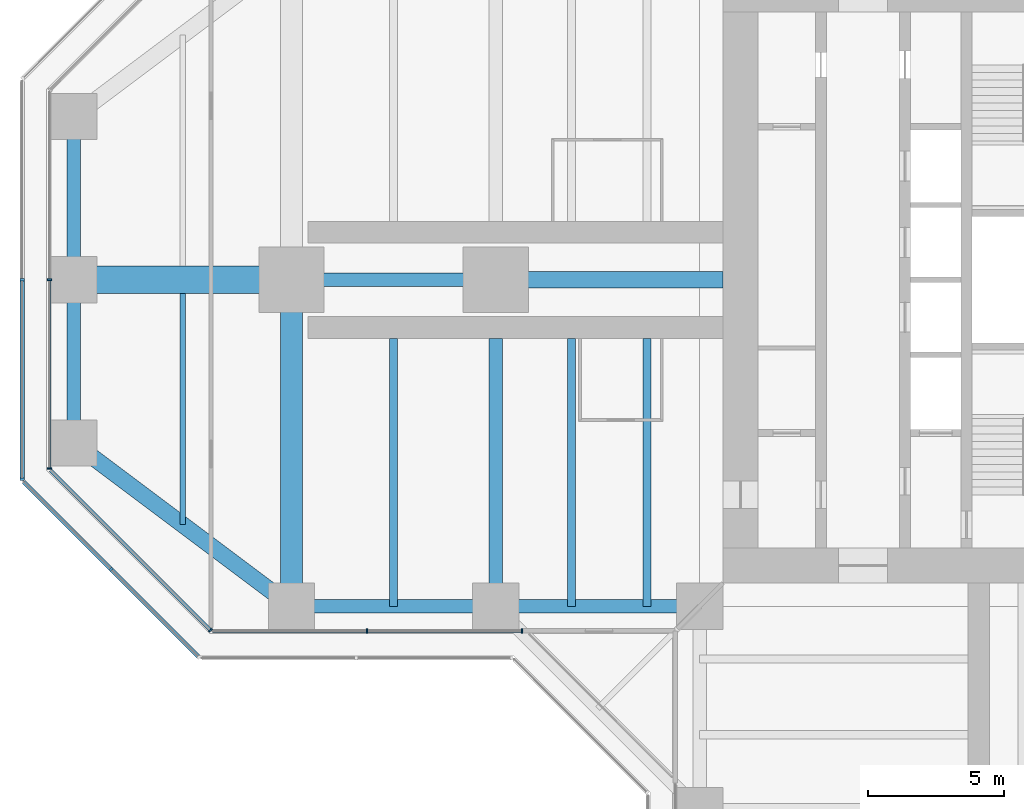
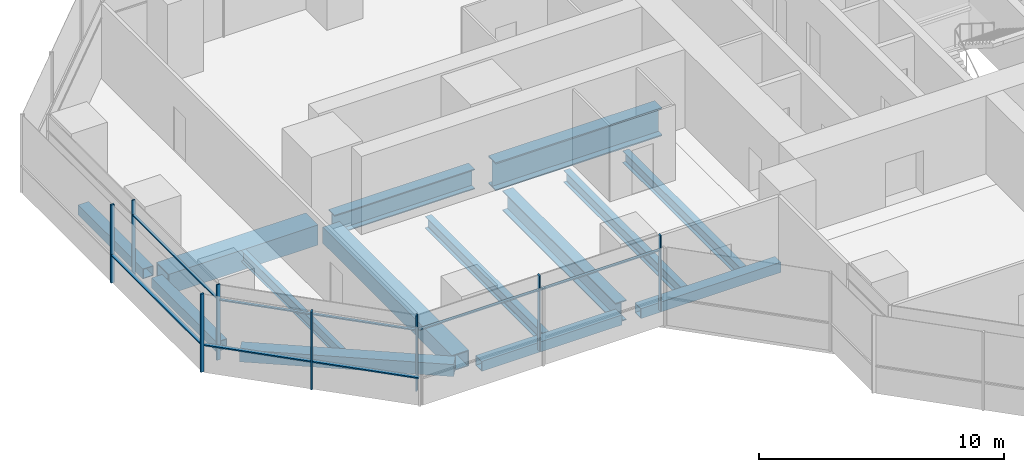
# One storey, part 3 of 19: 15 members, 14 beams, 5 elements without a shape of their own.
"""IFC4 building model written with IfcOpenShell, lengths in metres."""

from ifc_helpers import new_model, si_unit, direction, frame, origin, origin_2d, place, context, subcontext, project, spatial, rectangle, hollow_rectangle, i_section, extrude, material, material_profile, profile_set, type_object, element, aggregate, save


model = new_model("IFC4")

# Units and contexts
model_context = context("Model", 3, precision=1e-05, world=origin(), true_north=direction((0.0, 1.0)))
body_context = subcontext(model_context, "Body", "Model", "MODEL_VIEW")
ifc_project = project(units=[si_unit("LENGTHUNIT", "METRE"), si_unit("AREAUNIT", "SQUARE_METRE"), si_unit("VOLUMEUNIT", "CUBIC_METRE"), si_unit("PLANEANGLEUNIT", "RADIAN"), si_unit("MASSUNIT", "GRAM", prefix="KILO")], contexts=[model_context])

# Site, building, storey
site_placement = place(None, origin())
site = spatial("IfcSite", under=ifc_project, at=site_placement, CompositionType="ELEMENT")
building_placement = place(site_placement, origin())
building = spatial("IfcBuilding", under=site, at=building_placement, Name="Mizan Broadcast Tower", CompositionType="ELEMENT")
storey_placement = place(building_placement, frame((0.0, 0.0, 132.0)))
storey = spatial("IfcBuildingStorey", under=building, at=storey_placement, Name="L29", CompositionType="ELEMENT", Elevation=132.0)

# Beams
ifc_material_1 = material(Name="Steel S355", Category="steel")
ifc_material_profile_1 = material_profile(ifc_material_1, hollow_rectangle(XDim=0.5, YDim=0.5, WallThickness=0.030029296875, at=origin_2d()), Name="BOX 500x500x30")
ifc_profile_set_1 = profile_set([ifc_material_profile_1], Name="Steel S355")
beam_type_1 = type_object("IfcBeamType", Name="EDGE BEAM BOX 500x500x30", PredefinedType="SPANDREL", material=ifc_profile_set_1)
beam_1_placement = place(storey_placement, frame((-35.0, 5.639892578125, -0.3798828125), z_axis=(0.0, -1.0, 0.0), x_axis=(1.0, 0.0, 0.0)))
element("IfcBeam", 1, at=beam_1_placement, inside=storey, type_object=beam_type_1, Name="Edge beam BOX 500x500x30 L29 west arm", PredefinedType="SPANDREL", context=body_context, shape_type="SweptSolid", body=[
    extrude(hollow_rectangle(XDim=0.5, YDim=0.5, WallThickness=0.030029296875, at=origin_2d()), origin(), (0.0, 0.0, 1.0), 5.27978515625),
])
for number, where, z_axis, x_axis, name in (
    (2, (-12.449951171875, -12.0, -0.3798828125), (-1.0, 0.0, 0.0), (0.0, -1.0, 0.0), "Edge beam BOX 500x500x30 L29 west arm"),
    (3, (-19.949951171875, -12.0, -0.3798828125), (-1.0, 0.0, 0.0), (0.0, -1.0, 0.0), "Edge beam BOX 500x500x30 L29 west arm"),
):
    element("IfcBeam", number, at=place(storey_placement, frame(where, z_axis=z_axis, x_axis=x_axis)), inside=storey, type_object=beam_type_1, Name=name, PredefinedType="SPANDREL", context=body_context, shape_type="SweptSolid", body=[
        extrude(hollow_rectangle(XDim=0.5, YDim=0.5, WallThickness=0.030029296875, at=origin_2d()), origin(), (0.0, 0.0, 1.0), 6.60009765625),
    ])
beam_2_placement = place(storey_placement, frame((-35.0, -5.639892578125, -0.3798828125), z_axis=(0.0, 1.0, 0.0), x_axis=(-1.0, 0.0, 0.0)))
element("IfcBeam", 4, at=beam_2_placement, inside=storey, type_object=beam_type_1, Name="Edge beam BOX 500x500x30 L29 west arm", PredefinedType="SPANDREL", context=body_context, shape_type="SweptSolid", body=[
    extrude(hollow_rectangle(XDim=0.5, YDim=0.5, WallThickness=0.030029296875, at=origin_2d()), origin(), (0.0, 0.0, 1.0), 5.27978515625),
])
ifc_material_2 = material(Name="Steel S355", Category="steel")
ifc_material_profile_2 = material_profile(ifc_material_2, hollow_rectangle(XDim=0.60009765625, YDim=0.60009765625, WallThickness=0.030029296875, at=origin_2d()), Name="BOX 600x600x30")
ifc_profile_set_2 = profile_set([ifc_material_profile_2], Name="Steel S355")
beam_type_2 = type_object("IfcBeamType", Name="EDGE BEAM BOX 600x600x30", PredefinedType="SPANDREL", material=ifc_profile_set_2)
beam_3_placement = place(storey_placement, frame((-27.47998046875, -11.639892578125, -0.429931640625), z_axis=(-0.800013316712, 0.599982243973, 0.0), x_axis=(-0.599982243973, -0.800013316712, 0.0)))
element("IfcBeam", 5, at=beam_3_placement, inside=storey, type_object=beam_type_2, Name="Edge beam BOX 600x600x30 L29 west arm", PredefinedType="SPANDREL", context=body_context, shape_type="SweptSolid", body=[
    extrude(hollow_rectangle(XDim=0.60009765625, YDim=0.60009765625, WallThickness=0.030029296875, at=origin_2d()), origin(), (0.0, 0.0, 1.0), 8.7998046875),
])
ifc_material_3 = material(Name="Steel S460", Category="steel")
ifc_material_profile_3 = material_profile(ifc_material_3, hollow_rectangle(XDim=1.0, YDim=1.0, WallThickness=0.06005859375, at=origin_2d()), Name="BOX 1000x1000x60")
ifc_profile_set_3 = profile_set([ifc_material_profile_3], Name="Steel S460")
beam_type_3 = type_object("IfcBeamType", Name="GIRDER BOX 1000x1000x60", PredefinedType="BEAM", material=ifc_profile_set_3)
beam_4_placement = place(storey_placement, frame((-27.47998046875, 0.0, -0.6298828125), z_axis=(-1.0, 0.0, 0.0), x_axis=(0.0, -1.0, 0.0)))
element("IfcBeam", 6, at=beam_4_placement, inside=storey, type_object=beam_type_3, Name="Girder BOX 1000x1000x60 L29 west arm", PredefinedType="BEAM", context=body_context, shape_type="SweptSolid", body=[
    extrude(hollow_rectangle(XDim=1.0, YDim=1.0, WallThickness=0.06005859375, at=origin_2d()), origin(), (0.0, 0.0, 1.0), 7.0400390625),
])
ifc_material_4 = material(Name="Steel S460", Category="steel")
ifc_material_profile_4 = material_profile(ifc_material_4, hollow_rectangle(XDim=0.800048828125, YDim=0.800048828125, WallThickness=0.050048828125, at=origin_2d()), Name="BOX 800x800x50")
ifc_profile_set_4 = profile_set([ifc_material_profile_4], Name="Steel S460")
beam_type_4 = type_object("IfcBeamType", Name="GIRDER BOX 800x800x50", PredefinedType="BEAM", material=ifc_profile_set_4)
beam_5_placement = place(storey_placement, frame((-27.0, -11.280029296875, -0.530029296875), z_axis=(0.0, 1.0, 0.0), x_axis=(-1.0, 0.0, 0.0)))
element("IfcBeam", 7, at=beam_5_placement, inside=storey, type_object=beam_type_4, Name="Girder BOX 800x800x50 L29 west arm", PredefinedType="BEAM", context=body_context, shape_type="SweptSolid", body=[
    extrude(hollow_rectangle(XDim=0.800048828125, YDim=0.800048828125, WallThickness=0.050048828125, at=origin_2d()), origin(), (0.0, 0.0, 1.0), 10.56005859375),
])
ifc_material_5 = material(Name="Steel S460", Category="steel")
ifc_material_profile_5 = material_profile(ifc_material_5, i_section(OverallWidth=0.5, OverallDepth=1.0, WebThickness=0.02490234375, FlangeThickness=0.050048828125, at=origin_2d()), Name="WPG 1000x500")
ifc_profile_set_5 = profile_set([ifc_material_profile_5], Name="Steel S460")
beam_type_5 = type_object("IfcBeamType", Name="GIRDER WPG 1000x500", PredefinedType="BEAM", material=ifc_profile_set_5)
beam_6_placement = place(storey_placement, frame((-19.949951171875, 0.0, -0.6298828125), z_axis=(-1.0, 0.0, 0.0), x_axis=(0.0, -1.0, 0.0)))
element("IfcBeam", 8, at=beam_6_placement, inside=storey, type_object=beam_type_5, Name="Girder WPG 1000x500 L29 west arm", PredefinedType="BEAM", context=body_context, shape_type="SweptSolid", body=[
    extrude(i_section(OverallWidth=0.5, OverallDepth=1.0, WebThickness=0.02490234375, FlangeThickness=0.050048828125, at=origin_2d()), origin(), (0.0, 0.0, 1.0), 6.60009765625),
])
beam_7_placement = place(storey_placement, frame((-19.5, -11.408935546875, -0.6298828125), z_axis=(0.0, 1.0, 0.0), x_axis=(-1.0, 0.0, 0.0)))
element("IfcBeam", 9, at=beam_7_placement, inside=storey, type_object=beam_type_5, Name="Girder WPG 1000x500 L29 west arm", PredefinedType="BEAM", context=body_context, shape_type="SweptSolid", body=[
    extrude(i_section(OverallWidth=0.5, OverallDepth=1.0, WebThickness=0.02490234375, FlangeThickness=0.050048828125, at=origin_2d()), origin(), (0.0, 0.0, 1.0), 9.259033203125),
])
ifc_material_6 = material(Name="Steel S460", Category="steel")
ifc_material_profile_6 = material_profile(ifc_material_6, i_section(OverallWidth=0.60009765625, OverallDepth=1.39990234375, WebThickness=0.02490234375, FlangeThickness=0.06005859375, at=origin_2d()), Name="WPG 1400x600")
ifc_profile_set_6 = profile_set([ifc_material_profile_6], Name="Steel S460")
beam_type_6 = type_object("IfcBeamType", Name="GIRDER WPG 1400x600", PredefinedType="BEAM", material=ifc_profile_set_6)
beam_8_placement = place(storey_placement, frame((-11.14990234375, 0.0, -0.830078125), z_axis=(-1.0, 0.0, 0.0), x_axis=(0.0, -1.0, 0.0)))
element("IfcBeam", 10, at=beam_8_placement, inside=storey, type_object=beam_type_6, Name="Girder WPG 1400x600 L29 west arm", PredefinedType="BEAM", context=body_context, shape_type="SweptSolid", body=[
    extrude(i_section(OverallWidth=0.60009765625, OverallDepth=1.39990234375, WebThickness=0.02490234375, FlangeThickness=0.06005859375, at=origin_2d()), origin(), (0.0, 0.0, 1.0), 7.84912109375),
])

# Curtain wall, members
ifc_material_7 = material(Name="Aluminium framed glazing", Category="aluminium")
curtain_wall_type_1 = type_object("IfcCurtainWallType", Name="INNER SKIN MID ZONE", PredefinedType="USERDEFINED", material=ifc_material_7)
curtain_wall_1_placement = place(storey_placement, origin())
curtain_wall_1 = element("IfcCurtainWall", 11, at=curtain_wall_1_placement, inside=storey, type_object=curtain_wall_type_1, Name="Inner skin mid zone L29 W end", ObjectType="INNER SKIN MID ZONE", PredefinedType="USERDEFINED")
ifc_material_8 = material(Name="Aluminium, pale anodised", Category="aluminium")
ifc_material_profile_7 = material_profile(ifc_material_8, rectangle(XDim=0.159912109375, YDim=0.06005859375, at=origin_2d()), Name="MULLION 160x60")
ifc_profile_set_7 = profile_set([ifc_material_profile_7], Name="Aluminium, pale anodised")
member_type_1 = type_object("IfcMemberType", Name="INNER SKIN MULLION 60x160", PredefinedType="MULLION", material=ifc_profile_set_7)
member_1_placement = place(storey_placement, frame((-35.89990234375, 0.0, 0.0), z_axis=(0.0, 0.0, 1.0), x_axis=(1.0, 0.0, 0.0)))
member_1 = element("IfcMember", 12, at=member_1_placement, type_object=member_type_1, Name="Inner skin mid zone L29 W end mullion 2", PredefinedType="MULLION", context=body_context, shape_type="SweptSolid", body=[
    extrude(rectangle(XDim=0.159912109375, YDim=0.06005859375, at=origin_2d()), origin(), (0.0, 0.0, 1.0), 3.77001953125),
])
member_2_placement = place(storey_placement, frame((-35.89990234375, -6.928466796875, 0.0), z_axis=(0.0, 0.0, 1.0), x_axis=(1.0, 0.0, 0.0)))
member_2 = element("IfcMember", 13, at=member_2_placement, type_object=member_type_1, Name="Inner skin mid zone L29 W end mullion 3", PredefinedType="MULLION", context=body_context, shape_type="SweptSolid", body=[
    extrude(rectangle(XDim=0.159912109375, YDim=0.06005859375, at=origin_2d()), origin(), (0.0, 0.0, 1.0), 3.77001953125),
])

# Curtain wall, member
curtain_wall_2_placement = place(storey_placement, origin())
curtain_wall_2 = element("IfcCurtainWall", 14, at=curtain_wall_2_placement, inside=storey, type_object=curtain_wall_type_1, Name="Inner skin mid zone L29 W chamfer", ObjectType="INNER SKIN MID ZONE", PredefinedType="USERDEFINED")
member_3_placement = place(storey_placement, frame((-29.979736328125, -12.87890625, 0.0), z_axis=(0.0, 0.0, 1.0), x_axis=(0.707106781187, 0.707106781187, 0.0)))
member_3 = element("IfcMember", 15, at=member_3_placement, type_object=member_type_1, Name="Inner skin mid zone L29 W chamfer mullion 2", PredefinedType="MULLION", context=body_context, shape_type="SweptSolid", body=[
    extrude(rectangle(XDim=0.159912109375, YDim=0.06005859375, at=origin_2d()), origin(), (0.0, 0.0, 1.0), 3.77001953125),
])

# Curtain wall, members
curtain_wall_3_placement = place(storey_placement, origin())
curtain_wall_3 = element("IfcCurtainWall", 16, at=curtain_wall_3_placement, inside=storey, type_object=curtain_wall_type_1, Name="Inner skin mid zone L29 W side", ObjectType="INNER SKIN MID ZONE", PredefinedType="USERDEFINED")
member_4_placement = place(storey_placement, frame((-24.229248046875, -12.89990234375, 0.0), z_axis=(0.0, 0.0, 1.0), x_axis=(0.0, 1.0, 0.0)))
member_4 = element("IfcMember", 17, at=member_4_placement, type_object=member_type_1, Name="Inner skin mid zone L29 W side mullion 2", PredefinedType="MULLION", context=body_context, shape_type="SweptSolid", body=[
    extrude(rectangle(XDim=0.159912109375, YDim=0.06005859375, at=origin_2d()), origin(), (0.0, 0.0, 1.0), 3.77001953125),
])
member_5_placement = place(storey_placement, frame((-18.530029296875, -12.89990234375, 0.0), z_axis=(0.0, 0.0, 1.0), x_axis=(0.0, 1.0, 0.0)))
member_5 = element("IfcMember", 18, at=member_5_placement, type_object=member_type_1, Name="Inner skin mid zone L29 W side mullion 3", PredefinedType="MULLION", context=body_context, shape_type="SweptSolid", body=[
    extrude(rectangle(XDim=0.159912109375, YDim=0.06005859375, at=origin_2d()), origin(), (0.0, 0.0, 1.0), 3.77001953125),
])

# Member
ifc_material_9 = material(Name="Aluminium, pale anodised", Category="aluminium")
ifc_material_profile_8 = material_profile(ifc_material_9, rectangle(XDim=0.1201171875, YDim=0.06005859375, at=origin_2d()), Name="TRANSOM 120x60")
ifc_profile_set_8 = profile_set([ifc_material_profile_8], Name="Aluminium, pale anodised")
member_type_2 = type_object("IfcMemberType", Name="INNER SKIN TRANSOM 60x120", PredefinedType="USERDEFINED", material=ifc_profile_set_8)
member_6_placement = place(storey_placement, frame((-35.89990234375, -0.030029296875, 3.030029296875), z_axis=(0.0, -1.0, 0.0), x_axis=(1.0, 0.0, 0.0)))
member_6 = element("IfcMember", 19, at=member_6_placement, type_object=member_type_2, Name="Inner skin mid zone L29 W end transom 2.1", ObjectType="TRANSOM", PredefinedType="USERDEFINED", context=body_context, shape_type="SweptSolid", body=[
    extrude(rectangle(XDim=0.1201171875, YDim=0.06005859375, at=origin_2d()), origin(), (0.0, 0.0, 1.0), 6.86865234375),
])

aggregate(curtain_wall_1, [member_1, member_2, member_6])

member_7_placement = place(storey_placement, frame((-35.857666015625, -7.0009765625, 3.030029296875), z_axis=(0.707106781187, -0.707106781187, 0.0), x_axis=(0.707106781187, 0.707106781187, 0.0)))
member_7 = element("IfcMember", 20, at=member_7_placement, type_object=member_type_2, Name="Inner skin mid zone L29 W chamfer transom 1.1", ObjectType="TRANSOM", PredefinedType="USERDEFINED", context=body_context, shape_type="SweptSolid", body=[
    extrude(rectangle(XDim=0.1201171875, YDim=0.06005859375, at=origin_2d()), origin(), (0.0, 0.0, 1.0), 8.28271484375),
])

aggregate(curtain_wall_2, [member_3, member_7])

member_8_placement = place(storey_placement, frame((-29.898681640625, -12.89990234375, 3.030029296875), z_axis=(1.0, 0.0, 0.0), x_axis=(0.0, 1.0, 0.0)))
member_8 = element("IfcMember", 21, at=member_8_placement, type_object=member_type_2, Name="Inner skin mid zone L29 W side transom 1.1", ObjectType="TRANSOM", PredefinedType="USERDEFINED", context=body_context, shape_type="SweptSolid", body=[
    extrude(rectangle(XDim=0.1201171875, YDim=0.06005859375, at=origin_2d()), origin(), (0.0, 0.0, 1.0), 5.639404296875),
])

member_9_placement = place(storey_placement, frame((-24.19921875, -12.89990234375, 3.030029296875), z_axis=(1.0, 0.0, 0.0), x_axis=(0.0, 1.0, 0.0)))
member_9 = element("IfcMember", 22, at=member_9_placement, type_object=member_type_2, Name="Inner skin mid zone L29 W side transom 2.1", ObjectType="TRANSOM", PredefinedType="USERDEFINED", context=body_context, shape_type="SweptSolid", body=[
    extrude(rectangle(XDim=0.1201171875, YDim=0.06005859375, at=origin_2d()), origin(), (0.0, 0.0, 1.0), 5.63916015625),
])

aggregate(curtain_wall_3, [member_4, member_5, member_8, member_9])

# Curtain wall, members
ifc_material_10 = material(Name="Aluminium framed glazing", Category="aluminium")
curtain_wall_type_2 = type_object("IfcCurtainWallType", Name="OUTER SKIN", PredefinedType="USERDEFINED", material=ifc_material_10)
curtain_wall_4_placement = place(storey_placement, origin())
curtain_wall_4 = element("IfcCurtainWall", 23, at=curtain_wall_4_placement, inside=storey, type_object=curtain_wall_type_2, Name="Outer skin L29 W end", ObjectType="OUTER SKIN", PredefinedType="USERDEFINED")
ifc_material_11 = material(Name="Aluminium, pale anodised", Category="aluminium")
ifc_material_profile_9 = material_profile(ifc_material_11, rectangle(XDim=0.159912109375, YDim=0.080078125, at=origin_2d()), Name="MULLION 160x80")
ifc_profile_set_9 = profile_set([ifc_material_profile_9], Name="Aluminium, pale anodised")
member_type_3 = type_object("IfcMemberType", Name="OUTER SKIN MULLION 80x160", PredefinedType="MULLION", material=ifc_profile_set_9)
member_10_placement = place(storey_placement, frame((-36.89990234375, 0.0, 0.0), z_axis=(0.0, 0.0, 1.0), x_axis=(1.0, 0.0, 0.0)))
member_10 = element("IfcMember", 24, at=member_10_placement, type_object=member_type_3, Name="Outer skin L29 W end mullion 2", PredefinedType="MULLION", context=body_context, shape_type="SweptSolid", body=[
    extrude(rectangle(XDim=0.159912109375, YDim=0.080078125, at=origin_2d()), origin(), (0.0, 0.0, 1.0), 3.89990234375),
])
member_11_placement = place(storey_placement, frame((-36.89990234375, -7.332763671875, 0.0), z_axis=(0.0, 0.0, 1.0), x_axis=(1.0, 0.0, 0.0)))
member_11 = element("IfcMember", 25, at=member_11_placement, type_object=member_type_3, Name="Outer skin L29 W end mullion 3", PredefinedType="MULLION", context=body_context, shape_type="SweptSolid", body=[
    extrude(rectangle(XDim=0.159912109375, YDim=0.080078125, at=origin_2d()), origin(), (0.0, 0.0, 1.0), 3.89990234375),
])

# Curtain wall, member
curtain_wall_5_placement = place(storey_placement, origin())
curtain_wall_5 = element("IfcCurtainWall", 26, at=curtain_wall_5_placement, inside=storey, type_object=curtain_wall_type_2, Name="Outer skin L29 W chamfer", ObjectType="OUTER SKIN", PredefinedType="USERDEFINED")
member_12_placement = place(storey_placement, frame((-33.636474609375, -10.636474609375, 0.0), z_axis=(0.0, 0.0, 1.0), x_axis=(0.707106781187, 0.707106781187, 0.0)))
member_12 = element("IfcMember", 27, at=member_12_placement, type_object=member_type_3, Name="Outer skin L29 W chamfer mullion 2", PredefinedType="MULLION", context=body_context, shape_type="SweptSolid", body=[
    extrude(rectangle(XDim=0.159912109375, YDim=0.080078125, at=origin_2d()), origin(), (0.0, 0.0, 1.0), 3.89990234375),
])

# Member
ifc_material_12 = material(Name="Aluminium, pale anodised", Category="aluminium")
ifc_material_profile_10 = material_profile(ifc_material_12, rectangle(XDim=0.159912109375, YDim=0.06005859375, at=origin_2d()), Name="TRANSOM 160x60")
ifc_profile_set_10 = profile_set([ifc_material_profile_10], Name="Aluminium, pale anodised")
member_type_4 = type_object("IfcMemberType", Name="OUTER SKIN TRANSOM 60x160", PredefinedType="USERDEFINED", material=ifc_profile_set_10)
member_13_placement = place(storey_placement, frame((-36.89990234375, -0.0400390625, 1.39990234375), z_axis=(0.0, -1.0, 0.0), x_axis=(1.0, 0.0, 0.0)))
member_13 = element("IfcMember", 28, at=member_13_placement, type_object=member_type_4, Name="Outer skin L29 W end transom 2.1", ObjectType="TRANSOM", PredefinedType="USERDEFINED", context=body_context, shape_type="SweptSolid", body=[
    extrude(rectangle(XDim=0.159912109375, YDim=0.06005859375, at=origin_2d()), origin(), (0.0, 0.0, 1.0), 7.252685546875),
])

aggregate(curtain_wall_4, [member_10, member_11, member_13])

member_14_placement = place(storey_placement, frame((-36.843505859375, -7.429443359375, 1.39990234375), z_axis=(0.707106781187, -0.707106781187, 0.0), x_axis=(0.707106781187, 0.707106781187, 0.0)))
member_14 = element("IfcMember", 29, at=member_14_placement, type_object=member_type_4, Name="Outer skin L29 W chamfer transom 1.1", ObjectType="TRANSOM", PredefinedType="USERDEFINED", context=body_context, shape_type="SweptSolid", body=[
    extrude(rectangle(XDim=0.159912109375, YDim=0.06005859375, at=origin_2d()), origin(), (0.0, 0.0, 1.0), 4.495361328125),
])

member_15_placement = place(storey_placement, frame((-33.608154296875, -10.664794921875, 1.39990234375), z_axis=(0.707106781187, -0.707106781187, 0.0), x_axis=(0.707106781187, 0.707106781187, 0.0)))
member_15 = element("IfcMember", 30, at=member_15_placement, type_object=member_type_4, Name="Outer skin L29 W chamfer transom 2.1", ObjectType="TRANSOM", PredefinedType="USERDEFINED", context=body_context, shape_type="SweptSolid", body=[
    extrude(rectangle(XDim=0.159912109375, YDim=0.06005859375, at=origin_2d()), origin(), (0.0, 0.0, 1.0), 4.495361328125),
])

aggregate(curtain_wall_5, [member_12, member_14, member_15])

# Beams
ifc_material_13 = material(Name="Steel S355", Category="steel")
ifc_material_profile_11 = material_profile(ifc_material_13, i_section(OverallWidth=0.300048828125, OverallDepth=0.590087890625, WebThickness=0.012939453125, FlangeThickness=0.02490234375, FilletRadius=0.027099609375, at=origin_2d()), Name="HEA 600")
ifc_profile_set_11 = profile_set([ifc_material_profile_11], Name="Steel S355")
beam_type_7 = type_object("IfcBeamType", Name="SECONDARY BEAM HEA 600", PredefinedType="JOIST", material=ifc_profile_set_11)
for number, where, z_axis, x_axis, name in (
    (31, (-13.933349609375, -12.0, -0.425048828125), (0.0, 1.0, 0.0), (-1.0, 0.0, 0.0), "Secondary beam HEA 600 L29 west arm"),
    (32, (-16.716552734375, -12.0, -0.425048828125), (0.0, 1.0, 0.0), (-1.0, 0.0, 0.0), "Secondary beam HEA 600 L29 west arm"),
    (33, (-23.25, -12.0, -0.425048828125), (0.0, 1.0, 0.0), (-1.0, 0.0, 0.0), "Secondary beam HEA 600 L29 west arm"),
):
    element("IfcBeam", number, at=place(storey_placement, frame(where, z_axis=z_axis, x_axis=x_axis)), inside=storey, type_object=beam_type_7, Name=name, PredefinedType="JOIST", context=body_context, shape_type="SweptSolid", body=[
        extrude(i_section(OverallWidth=0.300048828125, OverallDepth=0.590087890625, WebThickness=0.012939453125, FlangeThickness=0.02490234375, FilletRadius=0.027099609375, at=origin_2d()), origin(), (0.0, 0.0, 1.0), 9.85009765625),
    ])
ifc_material_14 = material(Name="Steel S355", Category="steel")
ifc_material_profile_12 = material_profile(ifc_material_14, i_section(OverallWidth=0.2099609375, OverallDepth=0.550048828125, WebThickness=0.010986328125, FlangeThickness=0.01708984375, FilletRadius=0.02392578125, at=origin_2d()), Name="IPE 550")
ifc_profile_set_12 = profile_set([ifc_material_profile_12], Name="Steel S355")
beam_type_8 = type_object("IfcBeamType", Name="SECONDARY BEAM IPE 550", PredefinedType="JOIST", material=ifc_profile_set_12)
beam_9_placement = place(storey_placement, frame((-31.0, -9.0, -0.405029296875), z_axis=(0.0, 1.0, 0.0), x_axis=(-1.0, 0.0, 0.0)))
element("IfcBeam", 34, at=beam_9_placement, inside=storey, type_object=beam_type_8, Name="Secondary beam IPE 550 L29 west arm", PredefinedType="JOIST", context=body_context, shape_type="SweptSolid", body=[
    extrude(i_section(OverallWidth=0.2099609375, OverallDepth=0.550048828125, WebThickness=0.010986328125, FlangeThickness=0.01708984375, FilletRadius=0.02392578125, at=origin_2d()), origin(), (0.0, 0.0, 1.0), 8.5),
])

save(model, "model.ifc")
